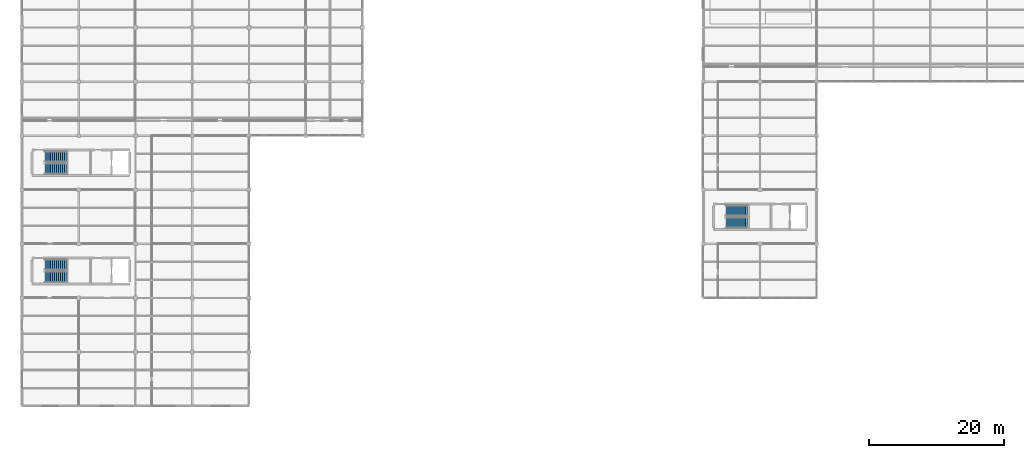
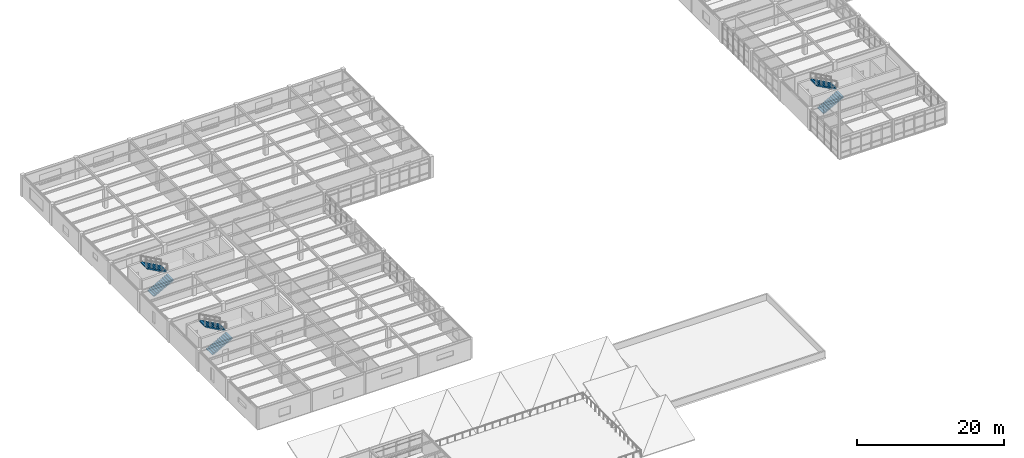
# One storey, part 48 of 53: 6 stair flights, 3 elements without a shape of their own.
"""IFC4 building model written with IfcOpenShell, lengths in metres."""

from ifc_helpers import new_model, si_unit, direction, frame, origin, place, context, subcontext, project, spatial, polyline, outline, extrude, material, type_object, element, aggregate, save


model = new_model("IFC4")

# Units and contexts
model_context = context("Model", 3, precision=1e-05, world=origin(), true_north=direction((0.0, 1.0)))
body_context = subcontext(model_context, "Body", "Model", "MODEL_VIEW")
ifc_project = project(units=[si_unit("LENGTHUNIT", "METRE"), si_unit("AREAUNIT", "SQUARE_METRE"), si_unit("VOLUMEUNIT", "CUBIC_METRE"), si_unit("PLANEANGLEUNIT", "RADIAN"), si_unit("MASSUNIT", "GRAM", prefix="KILO")], contexts=[model_context])

# Site, building, storey
site_placement = place(None, origin())
site = spatial("IfcSite", under=ifc_project, at=site_placement, CompositionType="ELEMENT")
building_placement = place(site_placement, origin())
building = spatial("IfcBuilding", under=site, at=building_placement, Name="Kranzveld Transit Interchange", CompositionType="ELEMENT")
storey_placement = place(building_placement, frame((0.0, 0.0, 13.360107421875)))
storey = spatial("IfcBuildingStorey", under=building, at=storey_placement, Name="L03", CompositionType="ELEMENT", Elevation=13.360107421875)

# Stair, stair flights
ifc_material_1 = material(Name="Concrete C35/45", Category="concrete")
stair_type = type_object("IfcStairType", Name="Dogleg Stair 1650W H3840 C35/45", PredefinedType="HALF_TURN_STAIR", material=ifc_material_1)
stair_1_placement = place(storey_placement, origin())
stair_1 = element("IfcStair", 1, at=stair_1_placement, inside=storey, type_object=stair_type, Name="L03 Operations Core C1", PredefinedType="HALF_TURN_STAIR")
ifc_material_2 = material(Name="Concrete C35/45", Category="concrete")
stair_flight_type = type_object("IfcStairFlightType", Name="Stair Flight 1650W H3840 C35/45", PredefinedType="STRAIGHT", material=ifc_material_2)
stair_flight_1_placement = place(storey_placement, frame((3.39990234375, 67.094970703125, 0.0), z_axis=(0.0, 0.0, 1.0), x_axis=(1.0, 0.0, 0.0)))
stair_flight_1 = element("IfcStairFlight", 2, at=stair_flight_1_placement, type_object=stair_flight_type, Name="ST-C1 flight 1", NumberOfRisers=12, NumberOfTreads=11, PredefinedType="STRAIGHT", RiserHeight=0.16, TreadLength=0.29, context=body_context, shape_type="SweptSolid", body=[
    extrude(outline(polyline([(0.0, 0.0), (0.0, 0.159912109375), (0.2900390625, 0.159912109375), (0.2900390625, 0.320068359375), (0.580078125, 0.320068359375), (0.580078125, 0.47998046875), (0.8701171875, 0.47998046875), (0.8701171875, 0.639892578125), (1.159912109375, 0.639892578125), (1.159912109375, 0.800048828125), (1.449951171875, 0.800048828125), (1.449951171875, 0.9599609375), (1.739990234375, 0.9599609375), (1.739990234375, 1.1201171875), (2.030029296875, 1.1201171875), (2.030029296875, 1.280029296875), (2.320068359375, 1.280029296875), (2.320068359375, 1.43994140625), (2.610107421875, 1.43994140625), (2.610107421875, 1.60009765625), (2.89990234375, 1.60009765625), (2.89990234375, 1.760009765625), (3.18994140625, 1.760009765625), (3.18994140625, 1.919921875), (3.18994140625, 1.577392578125), (0.3310546875, 0.0), (0.0, 0.0)])), frame((0.0, 0.824951171875, 0.0), z_axis=(0.0, -1.0, 0.0), x_axis=(1.0, 0.0, 0.0)), (0.0, 0.0, 1.0), 1.64990234375),
])
stair_flight_2_placement = place(storey_placement, frame((6.590087890625, 68.905029296875, 1.919921875), z_axis=(0.0, 0.0, 1.0), x_axis=(-1.0, 0.0, 0.0)))
stair_flight_2 = element("IfcStairFlight", 3, at=stair_flight_2_placement, type_object=stair_flight_type, Name="ST-C1 flight 2", NumberOfRisers=12, NumberOfTreads=11, PredefinedType="STRAIGHT", RiserHeight=0.16, TreadLength=0.29, context=body_context, shape_type="SweptSolid", body=[
    extrude(outline(polyline([(0.0, 0.0), (0.0, 0.159912109375), (0.2900390625, 0.159912109375), (0.2900390625, 0.320068359375), (0.580078125, 0.320068359375), (0.580078125, 0.47998046875), (0.8701171875, 0.47998046875), (0.8701171875, 0.639892578125), (1.159912109375, 0.639892578125), (1.159912109375, 0.800048828125), (1.449951171875, 0.800048828125), (1.449951171875, 0.9599609375), (1.739990234375, 0.9599609375), (1.739990234375, 1.1201171875), (2.030029296875, 1.1201171875), (2.030029296875, 1.280029296875), (2.320068359375, 1.280029296875), (2.320068359375, 1.43994140625), (2.610107421875, 1.43994140625), (2.610107421875, 1.60009765625), (2.89990234375, 1.60009765625), (2.89990234375, 1.760009765625), (3.18994140625, 1.760009765625), (3.18994140625, 1.919921875), (3.18994140625, 1.577392578125), (0.3310546875, 0.0), (0.0, 0.0)])), frame((0.0, 0.824951171875, 0.0), z_axis=(0.0, -1.0, 0.0), x_axis=(1.0, 0.0, 0.0)), (0.0, 0.0, 1.0), 1.64990234375),
])
aggregate(stair_1, [stair_flight_1, stair_flight_2])

stair_2_placement = place(storey_placement, origin())
stair_2 = element("IfcStair", 4, at=stair_2_placement, inside=storey, type_object=stair_type, Name="L03 Operations Core C2", PredefinedType="HALF_TURN_STAIR")
stair_flight_3_placement = place(storey_placement, frame((3.39990234375, 83.094970703125, 0.0), z_axis=(0.0, 0.0, 1.0), x_axis=(1.0, 0.0, 0.0)))
stair_flight_3 = element("IfcStairFlight", 5, at=stair_flight_3_placement, type_object=stair_flight_type, Name="ST-C2 flight 1", NumberOfRisers=12, NumberOfTreads=11, PredefinedType="STRAIGHT", RiserHeight=0.16, TreadLength=0.29, context=body_context, shape_type="SweptSolid", body=[
    extrude(outline(polyline([(0.0, 0.0), (0.0, 0.159912109375), (0.2900390625, 0.159912109375), (0.2900390625, 0.320068359375), (0.580078125, 0.320068359375), (0.580078125, 0.47998046875), (0.8701171875, 0.47998046875), (0.8701171875, 0.639892578125), (1.159912109375, 0.639892578125), (1.159912109375, 0.800048828125), (1.449951171875, 0.800048828125), (1.449951171875, 0.9599609375), (1.739990234375, 0.9599609375), (1.739990234375, 1.1201171875), (2.030029296875, 1.1201171875), (2.030029296875, 1.280029296875), (2.320068359375, 1.280029296875), (2.320068359375, 1.43994140625), (2.610107421875, 1.43994140625), (2.610107421875, 1.60009765625), (2.89990234375, 1.60009765625), (2.89990234375, 1.760009765625), (3.18994140625, 1.760009765625), (3.18994140625, 1.919921875), (3.18994140625, 1.577392578125), (0.3310546875, 0.0), (0.0, 0.0)])), frame((0.0, 0.824951171875, 0.0), z_axis=(0.0, -1.0, 0.0), x_axis=(1.0, 0.0, 0.0)), (0.0, 0.0, 1.0), 1.64990234375),
])
stair_flight_4_placement = place(storey_placement, frame((6.590087890625, 84.905029296875, 1.919921875), z_axis=(0.0, 0.0, 1.0), x_axis=(-1.0, 0.0, 0.0)))
stair_flight_4 = element("IfcStairFlight", 6, at=stair_flight_4_placement, type_object=stair_flight_type, Name="ST-C2 flight 2", NumberOfRisers=12, NumberOfTreads=11, PredefinedType="STRAIGHT", RiserHeight=0.16, TreadLength=0.29, context=body_context, shape_type="SweptSolid", body=[
    extrude(outline(polyline([(0.0, 0.0), (0.0, 0.159912109375), (0.2900390625, 0.159912109375), (0.2900390625, 0.320068359375), (0.580078125, 0.320068359375), (0.580078125, 0.47998046875), (0.8701171875, 0.47998046875), (0.8701171875, 0.639892578125), (1.159912109375, 0.639892578125), (1.159912109375, 0.800048828125), (1.449951171875, 0.800048828125), (1.449951171875, 0.9599609375), (1.739990234375, 0.9599609375), (1.739990234375, 1.1201171875), (2.030029296875, 1.1201171875), (2.030029296875, 1.280029296875), (2.320068359375, 1.280029296875), (2.320068359375, 1.43994140625), (2.610107421875, 1.43994140625), (2.610107421875, 1.60009765625), (2.89990234375, 1.60009765625), (2.89990234375, 1.760009765625), (3.18994140625, 1.760009765625), (3.18994140625, 1.919921875), (3.18994140625, 1.577392578125), (0.3310546875, 0.0), (0.0, 0.0)])), frame((0.0, 0.824951171875, 0.0), z_axis=(0.0, -1.0, 0.0), x_axis=(1.0, 0.0, 0.0)), (0.0, 0.0, 1.0), 1.64990234375),
])
aggregate(stair_2, [stair_flight_3, stair_flight_4])

stair_3_placement = place(storey_placement, origin())
stair_3 = element("IfcStair", 7, at=stair_3_placement, inside=storey, type_object=stair_type, Name="L03 Community Core C3", PredefinedType="HALF_TURN_STAIR")
stair_flight_5_placement = place(storey_placement, frame((104.199951171875, 75.094970703125, 0.0), z_axis=(0.0, 0.0, 1.0), x_axis=(1.0, 0.0, 0.0)))
stair_flight_5 = element("IfcStairFlight", 8, at=stair_flight_5_placement, type_object=stair_flight_type, Name="ST-V4A flight 1", NumberOfRisers=12, NumberOfTreads=11, PredefinedType="STRAIGHT", RiserHeight=0.16, TreadLength=0.29, context=body_context, shape_type="SweptSolid", body=[
    extrude(outline(polyline([(0.0, 0.0), (0.0, 0.159912109375), (0.2900390625, 0.159912109375), (0.2900390625, 0.320068359375), (0.580078125, 0.320068359375), (0.580078125, 0.47998046875), (0.8701171875, 0.47998046875), (0.8701171875, 0.639892578125), (1.159912109375, 0.639892578125), (1.159912109375, 0.800048828125), (1.449951171875, 0.800048828125), (1.449951171875, 0.9599609375), (1.739990234375, 0.9599609375), (1.739990234375, 1.1201171875), (2.030029296875, 1.1201171875), (2.030029296875, 1.280029296875), (2.320068359375, 1.280029296875), (2.320068359375, 1.43994140625), (2.610107421875, 1.43994140625), (2.610107421875, 1.60009765625), (2.89990234375, 1.60009765625), (2.89990234375, 1.760009765625), (3.18994140625, 1.760009765625), (3.18994140625, 1.919921875), (3.18994140625, 1.577392578125), (0.3310546875, 0.0), (0.0, 0.0)])), frame((0.0, 0.824951171875, 0.0), z_axis=(0.0, -1.0, 0.0), x_axis=(1.0, 0.0, 0.0)), (0.0, 0.0, 1.0), 1.64990234375),
])
stair_flight_6_placement = place(storey_placement, frame((107.389892578125, 76.905029296875, 1.919921875), z_axis=(0.0, 0.0, 1.0), x_axis=(-1.0, 0.0, 0.0)))
stair_flight_6 = element("IfcStairFlight", 9, at=stair_flight_6_placement, type_object=stair_flight_type, Name="ST-V4A flight 2", NumberOfRisers=12, NumberOfTreads=11, PredefinedType="STRAIGHT", RiserHeight=0.16, TreadLength=0.29, context=body_context, shape_type="SweptSolid", body=[
    extrude(outline(polyline([(0.0, 0.0), (0.0, 0.159912109375), (0.2900390625, 0.159912109375), (0.2900390625, 0.320068359375), (0.580078125, 0.320068359375), (0.580078125, 0.47998046875), (0.8701171875, 0.47998046875), (0.8701171875, 0.639892578125), (1.159912109375, 0.639892578125), (1.159912109375, 0.800048828125), (1.449951171875, 0.800048828125), (1.449951171875, 0.9599609375), (1.739990234375, 0.9599609375), (1.739990234375, 1.1201171875), (2.030029296875, 1.1201171875), (2.030029296875, 1.280029296875), (2.320068359375, 1.280029296875), (2.320068359375, 1.43994140625), (2.610107421875, 1.43994140625), (2.610107421875, 1.60009765625), (2.89990234375, 1.60009765625), (2.89990234375, 1.760009765625), (3.18994140625, 1.760009765625), (3.18994140625, 1.919921875), (3.18994140625, 1.577392578125), (0.3310546875, 0.0), (0.0, 0.0)])), frame((0.0, 0.824951171875, 0.0), z_axis=(0.0, -1.0, 0.0), x_axis=(1.0, 0.0, 0.0)), (0.0, 0.0, 1.0), 1.64990234375),
])
aggregate(stair_3, [stair_flight_5, stair_flight_6])

save(model, "model.ifc")
